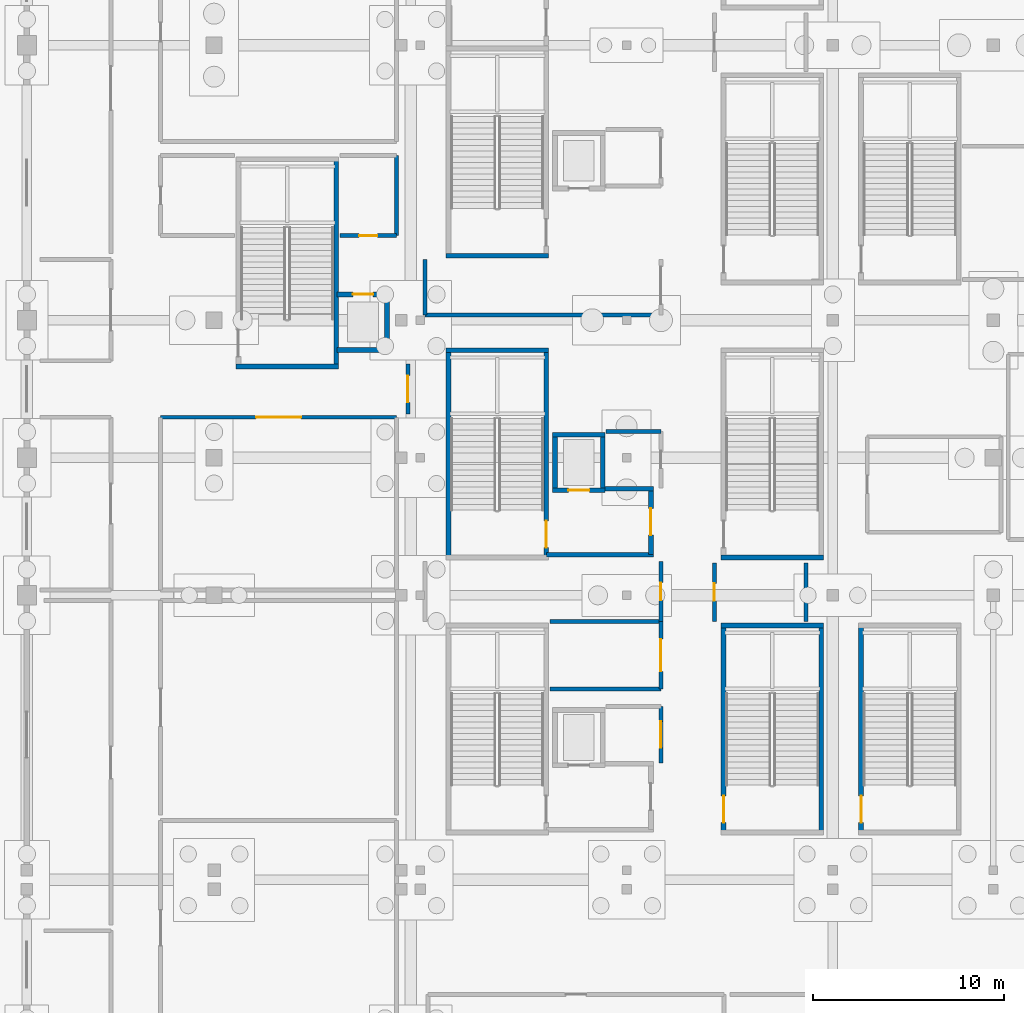
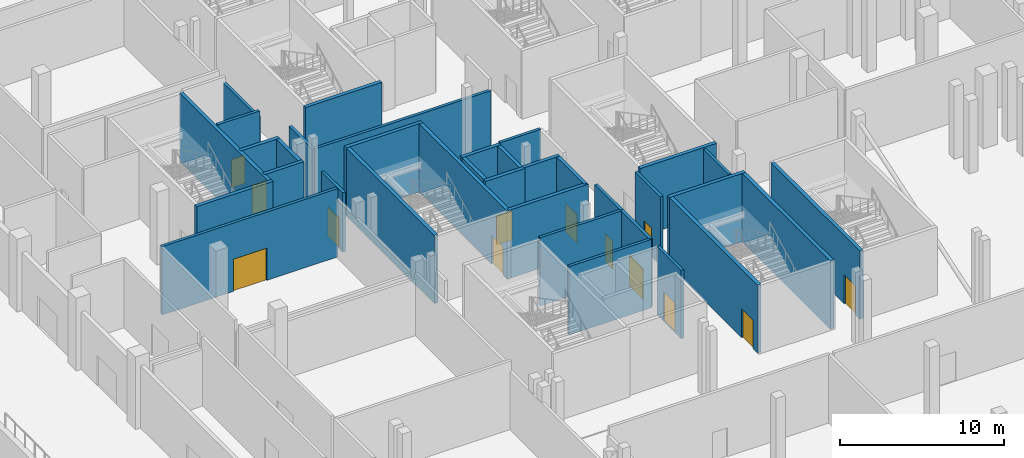
# One storey, part 30 of 89: 35 walls, 13 doors, 13 openings.
"""IFC4 building model written with IfcOpenShell, lengths in metres."""

from ifc_helpers import new_model, si_unit, direction, frame, frame_2d, origin, place, context, subcontext, project, spatial, rectangle, extrude, material, layer, layer_set, type_object, element, fill, save


model = new_model("IFC4")

# Units and contexts
model_context = context("Model", 3, precision=1e-05, world=origin(), true_north=direction((0.0, 1.0)))
body_context = subcontext(model_context, "Body", "Model", "MODEL_VIEW")
ifc_project = project(units=[si_unit("LENGTHUNIT", "METRE"), si_unit("AREAUNIT", "SQUARE_METRE"), si_unit("VOLUMEUNIT", "CUBIC_METRE"), si_unit("PLANEANGLEUNIT", "RADIAN"), si_unit("MASSUNIT", "GRAM", prefix="KILO")], contexts=[model_context])

# Site, building, storey
site_placement = place(None, origin())
site = spatial("IfcSite", under=ifc_project, at=site_placement, CompositionType="ELEMENT")
building_placement = place(site_placement, origin())
building = spatial("IfcBuilding", under=site, at=building_placement, Name="Koshinbarg Plaza Stadium", CompositionType="ELEMENT")
storey_placement = place(building_placement, origin())
storey = spatial("IfcBuildingStorey", under=building, at=storey_placement, Name="L00", CompositionType="ELEMENT", Elevation=0.0)

# Walls
ifc_material_1 = material(Name="Concrete C40/50", Category="concrete")
ifc_layer_1 = layer(ifc_material_1, 0.25)
ifc_layer_set_1 = layer_set([ifc_layer_1], Name="Concrete C40/50")
wall_type_1 = type_object("IfcWallType", Name="WL-CORE-250", PredefinedType="SHEAR", material=ifc_layer_set_1)
wall_1_placement = place(storey_placement, frame((31.320068359375, 52.72509765625, 0.0), z_axis=(0.0, 0.0, 1.0), x_axis=(-1.0, 0.0, 0.0)))
element("IfcWall", 1, at=wall_1_placement, inside=storey, type_object=wall_type_1, Name="L00 core stair shear wall C02-far IWL-L00-0030", PredefinedType="SHEAR", context=body_context, shape_type="SweptSolid", body=[
    extrude(rectangle(XDim=5.3701171875, YDim=0.25, at=frame_2d((2.68505859375, 0.0))), origin(), (0.0, 0.0, 1.0), 5.080078125),
])
wall_2_placement = place(storey_placement, frame((26.074951171875, 41.875, 0.0), z_axis=(0.0, 0.0, 1.0), x_axis=(0.0, 1.0, 0.0)))
element("IfcWall", 2, at=wall_2_placement, inside=storey, type_object=wall_type_1, Name="L00 core stair shear wall C02-left IWL-L00-0031", PredefinedType="SHEAR", context=body_context, shape_type="SweptSolid", body=[
    extrude(rectangle(XDim=10.85009765625, YDim=0.25, at=frame_2d((5.425048828125, 0.0))), origin(), (0.0, 0.0, 1.0), 5.080078125),
])

# Wall, opening, door
wall_3_placement = place(storey_placement, frame((31.195068359375, 41.875, 0.0), z_axis=(0.0, 0.0, 1.0), x_axis=(0.0, 1.0, 0.0)))
wall_3 = element("IfcWall", 3, at=wall_3_placement, inside=storey, type_object=wall_type_1, Name="L00 core stair shear wall C02-right IWL-L00-0032", PredefinedType="SHEAR", context=body_context, shape_type="SweptSolid", body=[
    extrude(rectangle(XDim=10.85009765625, YDim=0.25, at=frame_2d((5.425048828125, 0.0))), origin(), (0.0, 0.0, 1.0), 5.080078125),
])
opening_1_placement = place(wall_3_placement, frame((0.52001953125, 0.0, 0.0)))
opening_1 = element("IfcOpeningElement", 4, at=opening_1_placement, cuts=wall_3, Name="Opening D-0068", PredefinedType="OPENING", context=body_context, shape_type="SweptSolid", body=[
    extrude(rectangle(XDim=1.39990234375, YDim=2.14990234375, at=frame_2d((0.699951171875, 1.074951171875))), frame((0.0, 0.135009765625, 0.0), z_axis=(0.0, -1.0, 0.0), x_axis=(1.0, 0.0, 0.0)), (0.0, 0.0, 1.0), 0.27001953125),
])
ifc_material_2 = material(Name="Painted galvanized steel fire door", Category="steel")
door_type_1 = type_object("IfcDoorType", Name="DR-STAIR-1400", OperationType="NOTDEFINED", PredefinedType="DOOR", material=ifc_material_2)
door_1_placement = place(opening_1_placement, frame((1.39990234375, 0.0, 0.0), z_axis=(0.0, 0.0, 1.0), x_axis=(-1.0, 0.0, 0.0)))
door_1 = element("IfcDoor", 5, at=door_1_placement, inside=storey, type_object=door_type_1, Name="L00 exit stair door C02", OperationType="SINGLE_SWING_LEFT", OverallHeight=2.14990234375, OverallWidth=1.39990234375, PredefinedType="DOOR", context=body_context, shape_type="SweptSolid", body=[
    extrude(rectangle(XDim=1.39990234375, YDim=2.14990234375, at=frame_2d((0.699951171875, 1.074951171875))), frame((0.0, 0.02490234375, 0.0), z_axis=(0.0, -1.0, 0.0), x_axis=(1.0, 0.0, 0.0)), (0.0, 0.0, 1.0), 0.050048828125),
])
fill(opening_1, door_1)

# Walls
for number, where, z_axis, x_axis, name in (
    (6, (25.949951171875, 57.675048828125, 0.0), (0.0, 0.0, 1.0), (1.0, 0.0, 0.0), "L00 core stair shear wall C03-near IWL-L00-0057"),
    (7, (14.949951171875, 51.875, 0.0), (0.0, 0.0, 1.0), (1.0, 0.0, 0.0), "L00 core stair shear wall C16-near IWL-L00-0342"),
):
    element("IfcWall", number, at=place(storey_placement, frame(where, z_axis=z_axis, x_axis=x_axis)), inside=storey, type_object=wall_type_1, Name=name, PredefinedType="SHEAR", context=body_context, shape_type="SweptSolid", body=[
        extrude(rectangle(XDim=5.3701171875, YDim=0.25, at=frame_2d((2.68505859375, 0.0))), origin(), (0.0, 0.0, 1.0), 5.080078125),
    ])
wall_4_placement = place(storey_placement, frame((20.195068359375, 51.875, 0.0), z_axis=(0.0, 0.0, 1.0), x_axis=(0.0, 1.0, 0.0)))
element("IfcWall", 8, at=wall_4_placement, inside=storey, type_object=wall_type_1, Name="L00 core stair shear wall C16-right IWL-L00-0345", PredefinedType="SHEAR", context=body_context, shape_type="SweptSolid", body=[
    extrude(rectangle(XDim=10.85009765625, YDim=0.25, at=frame_2d((5.425048828125, 0.0))), origin(), (0.0, 0.0, 1.0), 5.080078125),
])
wall_5_placement = place(storey_placement, frame((45.719970703125, 38.324951171875, 0.0), z_axis=(0.0, 0.0, 1.0), x_axis=(-1.0, 0.0, 0.0)))
element("IfcWall", 9, at=wall_5_placement, inside=storey, type_object=wall_type_1, Name="L00 vomitory stair shear wall VX01-far IWL-L00-0355", PredefinedType="SHEAR", context=body_context, shape_type="SweptSolid", body=[
    extrude(rectangle(XDim=5.369873046875, YDim=0.25, at=frame_2d((2.68505859375, 0.0))), origin(), (0.0, 0.0, 1.0), 5.080078125),
])

# Wall, opening, door
wall_6_placement = place(storey_placement, frame((40.47509765625, 27.47509765625, 0.0), z_axis=(0.0, 0.0, 1.0), x_axis=(0.0, 1.0, 0.0)))
wall_6 = element("IfcWall", 10, at=wall_6_placement, inside=storey, type_object=wall_type_1, Name="L00 vomitory stair shear wall VX01-left IWL-L00-0356", PredefinedType="SHEAR", context=body_context, shape_type="SweptSolid", body=[
    extrude(rectangle(XDim=10.849853515625, YDim=0.25, at=frame_2d((5.4248046875, 0.0))), origin(), (0.0, 0.0, 1.0), 5.080078125),
])
opening_2_placement = place(wall_6_placement, frame((0.52001953125, 0.0, 0.0)))
opening_2 = element("IfcOpeningElement", 11, at=opening_2_placement, cuts=wall_6, Name="Opening D-0151", PredefinedType="OPENING", context=body_context, shape_type="SweptSolid", body=[
    extrude(rectangle(XDim=1.39990234375, YDim=2.14990234375, at=frame_2d((0.699951171875, 1.074951171875))), frame((0.0, 0.135009765625, 0.0), z_axis=(0.0, -1.0, 0.0), x_axis=(1.0, 0.0, 0.0)), (0.0, 0.0, 1.0), 0.27001953125),
])
door_2_placement = place(opening_2_placement, origin())
door_2 = element("IfcDoor", 12, at=door_2_placement, inside=storey, type_object=door_type_1, Name="L00 vomitory exit stair door VX01", OperationType="SINGLE_SWING_RIGHT", OverallHeight=2.14990234375, OverallWidth=1.39990234375, PredefinedType="DOOR", context=body_context, shape_type="SweptSolid", body=[
    extrude(rectangle(XDim=1.39990234375, YDim=2.14990234375, at=frame_2d((0.699951171875, 1.074951171875))), frame((0.0, 0.02490234375, 0.0), z_axis=(0.0, -1.0, 0.0), x_axis=(1.0, 0.0, 0.0)), (0.0, 0.0, 1.0), 0.050048828125),
])
fill(opening_2, door_2)

# Walls
wall_7_placement = place(storey_placement, frame((45.594970703125, 27.47509765625, 0.0), z_axis=(0.0, 0.0, 1.0), x_axis=(0.0, 1.0, 0.0)))
element("IfcWall", 13, at=wall_7_placement, inside=storey, type_object=wall_type_1, Name="L00 vomitory stair shear wall VX01-right IWL-L00-0357", PredefinedType="SHEAR", context=body_context, shape_type="SweptSolid", body=[
    extrude(rectangle(XDim=10.849853515625, YDim=0.25, at=frame_2d((5.4248046875, 0.0))), origin(), (0.0, 0.0, 1.0), 5.080078125),
])
wall_8_placement = place(storey_placement, frame((40.35009765625, 41.875, 0.0), z_axis=(0.0, 0.0, 1.0), x_axis=(1.0, 0.0, 0.0)))
element("IfcWall", 14, at=wall_8_placement, inside=storey, type_object=wall_type_1, Name="L00 vomitory stair shear wall VX02-near IWL-L00-0370", PredefinedType="SHEAR", context=body_context, shape_type="SweptSolid", body=[
    extrude(rectangle(XDim=5.369873046875, YDim=0.25, at=frame_2d((2.68505859375, 0.0))), origin(), (0.0, 0.0, 1.0), 5.080078125),
])

# Wall, opening, door
wall_9_placement = place(storey_placement, frame((47.675048828125, 27.47509765625, 0.0), z_axis=(0.0, 0.0, 1.0), x_axis=(0.0, 1.0, 0.0)))
wall_9 = element("IfcWall", 15, at=wall_9_placement, inside=storey, type_object=wall_type_1, Name="L00 vomitory stair shear wall VL01-left IWL-L00-0548", PredefinedType="SHEAR", context=body_context, shape_type="SweptSolid", body=[
    extrude(rectangle(XDim=10.849853515625, YDim=0.25, at=frame_2d((5.4248046875, 0.0))), origin(), (0.0, 0.0, 1.0), 5.080078125),
])
opening_3_placement = place(wall_9_placement, frame((0.52001953125, 0.0, 0.0)))
opening_3 = element("IfcOpeningElement", 16, at=opening_3_placement, cuts=wall_9, Name="Opening D-0199", PredefinedType="OPENING", context=body_context, shape_type="SweptSolid", body=[
    extrude(rectangle(XDim=1.39990234375, YDim=2.14990234375, at=frame_2d((0.699951171875, 1.074951171875))), frame((0.0, 0.135009765625, 0.0), z_axis=(0.0, -1.0, 0.0), x_axis=(1.0, 0.0, 0.0)), (0.0, 0.0, 1.0), 0.27001953125),
])
door_3_placement = place(opening_3_placement, origin())
door_3 = element("IfcDoor", 17, at=door_3_placement, inside=storey, type_object=door_type_1, Name="L00 vomitory exit stair door VL01", OperationType="SINGLE_SWING_RIGHT", OverallHeight=2.14990234375, OverallWidth=1.39990234375, PredefinedType="DOOR", context=body_context, shape_type="SweptSolid", body=[
    extrude(rectangle(XDim=1.39990234375, YDim=2.14990234375, at=frame_2d((0.699951171875, 1.074951171875))), frame((0.0, 0.02490234375, 0.0), z_axis=(0.0, -1.0, 0.0), x_axis=(1.0, 0.0, 0.0)), (0.0, 0.0, 1.0), 0.050048828125),
])
fill(opening_3, door_3)

wall_10_placement = place(storey_placement, frame((31.52490234375, 45.39990234375, 0.0), z_axis=(0.0, 0.0, 1.0), x_axis=(1.0, 0.0, 0.0)))
wall_10 = element("IfcWall", 18, at=wall_10_placement, inside=storey, type_object=wall_type_1, Name="L00 lift shaft shear wall FL02-S IWL-L00-0659", PredefinedType="SHEAR", context=body_context, shape_type="SweptSolid", body=[
    extrude(rectangle(XDim=2.75, YDim=0.25, at=frame_2d((1.375, 0.0))), origin(), (0.0, 0.0, 1.0), 5.080078125),
])
opening_4_placement = place(wall_10_placement, frame((0.824951171875, 0.0, 0.0)))
opening_4 = element("IfcOpeningElement", 19, at=opening_4_placement, cuts=wall_10, Name="Opening D-0229", PredefinedType="OPENING", context=body_context, shape_type="SweptSolid", body=[
    extrude(rectangle(XDim=1.10009765625, YDim=2.14990234375, at=frame_2d((0.550048828125, 1.074951171875))), frame((0.0, 0.135009765625, 0.0), z_axis=(0.0, -1.0, 0.0), x_axis=(1.0, 0.0, 0.0)), (0.0, 0.0, 1.0), 0.27001953125),
])
ifc_material_3 = material(Name="Brushed stainless steel sliding lift landing door", Category="steel")
door_type_2 = type_object("IfcDoorType", Name="DR-LIFT-1100", OperationType="NOTDEFINED", PredefinedType="DOOR", material=ifc_material_3)
door_4_placement = place(opening_4_placement, origin())
door_4 = element("IfcDoor", 20, at=door_4_placement, inside=storey, type_object=door_type_2, Name="L00 lift landing door FL02", OperationType="SLIDING_TO_LEFT", OverallHeight=2.14990234375, OverallWidth=1.10009765625, PredefinedType="DOOR", context=body_context, shape_type="SweptSolid", body=[
    extrude(rectangle(XDim=1.10009765625, YDim=2.14990234375, at=frame_2d((0.550048828125, 1.074951171875))), frame((0.0, 0.02490234375, 0.0), z_axis=(0.0, -1.0, 0.0), x_axis=(1.0, 0.0, 0.0)), (0.0, 0.0, 1.0), 0.050048828125),
])
fill(opening_4, door_4)

# Walls
wall_11_placement = place(storey_placement, frame((34.27490234375, 48.300048828125, 0.0), z_axis=(0.0, 0.0, 1.0), x_axis=(-1.0, 0.0, 0.0)))
element("IfcWall", 21, at=wall_11_placement, inside=storey, type_object=wall_type_1, Name="L00 lift shaft shear wall FL02-N IWL-L00-0660", PredefinedType="SHEAR", context=body_context, shape_type="SweptSolid", body=[
    extrude(rectangle(XDim=2.75, YDim=0.25, at=frame_2d((1.375, 0.0))), origin(), (0.0, 0.0, 1.0), 5.080078125),
])
for number, where, z_axis, x_axis, name in (
    (22, (31.64990234375, 48.300048828125, 0.0), (0.0, 0.0, 1.0), (0.0, -1.0, 0.0), "L00 lift shaft shear wall FL02-W IWL-L00-0661"),
    (23, (34.14990234375, 45.39990234375, 0.0), (0.0, 0.0, 1.0), (0.0, 1.0, 0.0), "L00 lift shaft shear wall FL02-E IWL-L00-0662"),
):
    element("IfcWall", number, at=place(storey_placement, frame(where, z_axis=z_axis, x_axis=x_axis)), inside=storey, type_object=wall_type_1, Name=name, PredefinedType="SHEAR", context=body_context, shape_type="SweptSolid", body=[
        extrude(rectangle(XDim=2.900146484375, YDim=0.25, at=frame_2d((1.4501953125, 0.0))), origin(), (0.0, 0.0, 1.0), 5.080078125),
    ])

# Wall, opening, door
wall_12_placement = place(storey_placement, frame((36.675048828125, 42.02490234375, 0.0), z_axis=(0.0, 0.0, 1.0), x_axis=(0.0, 1.0, 0.0)))
wall_12 = element("IfcWall", 24, at=wall_12_placement, inside=storey, type_object=wall_type_1, Name="L00 firefighting lobby wall C02-E IWL-L00-0663", PredefinedType="SHEAR", context=body_context, shape_type="SweptSolid", body=[
    extrude(rectangle(XDim=3.4501953125, YDim=0.25, at=frame_2d((1.72509765625, 0.0))), origin(), (0.0, 0.0, 1.0), 5.080078125),
])
opening_5_placement = place(wall_12_placement, frame((1.02490234375, 0.0, 0.0)))
opening_5 = element("IfcOpeningElement", 25, at=opening_5_placement, cuts=wall_12, Name="Opening D-0230", PredefinedType="OPENING", context=body_context, shape_type="SweptSolid", body=[
    extrude(rectangle(XDim=1.39990234375, YDim=2.14990234375, at=frame_2d((0.699951171875, 1.074951171875))), frame((0.0, 0.135009765625, 0.0), z_axis=(0.0, -1.0, 0.0), x_axis=(1.0, 0.0, 0.0)), (0.0, 0.0, 1.0), 0.27001953125),
])
ifc_material_4 = material(Name="Smoke-sealed steel firefighting lobby door", Category="steel")
door_type_3 = type_object("IfcDoorType", Name="DR-FFLOB-1400", OperationType="NOTDEFINED", PredefinedType="DOOR", material=ifc_material_4)
door_5_placement = place(opening_5_placement, origin())
door_5 = element("IfcDoor", 26, at=door_5_placement, inside=storey, type_object=door_type_3, Name="L00 firefighting lobby fire door C02", OperationType="DOUBLE_DOOR_SINGLE_SWING", OverallHeight=2.14990234375, OverallWidth=1.39990234375, PredefinedType="DOOR", context=body_context, shape_type="SweptSolid", body=[
    extrude(rectangle(XDim=1.39990234375, YDim=2.14990234375, at=frame_2d((0.699951171875, 1.074951171875))), frame((0.0, 0.02490234375, 0.0), z_axis=(0.0, -1.0, 0.0), x_axis=(1.0, 0.0, 0.0)), (0.0, 0.0, 1.0), 0.050048828125),
])
fill(opening_5, door_5)

# Walls
wall_13_placement = place(storey_placement, frame((34.27490234375, 45.47509765625, 0.0), z_axis=(0.0, 0.0, 1.0), x_axis=(1.0, 0.0, 0.0)))
element("IfcWall", 27, at=wall_13_placement, inside=storey, type_object=wall_type_1, Name="L00 firefighting lobby wall C02-NE IWL-L00-0664", PredefinedType="SHEAR", context=body_context, shape_type="SweptSolid", body=[
    extrude(rectangle(XDim=2.525146484375, YDim=0.25, at=frame_2d((1.2626953125, 0.0))), origin(), (0.0, 0.0, 1.0), 5.080078125),
])
wall_14_placement = place(storey_placement, frame((31.199951171875, 42.02490234375, 0.0), z_axis=(0.0, 0.0, 1.0), x_axis=(1.0, 0.0, 0.0)))
element("IfcWall", 28, at=wall_14_placement, inside=storey, type_object=wall_type_1, Name="L00 firefighting lobby wall C02-S IWL-L00-0665", PredefinedType="SHEAR", context=body_context, shape_type="SweptSolid", body=[
    extrude(rectangle(XDim=5.60009765625, YDim=0.25, at=frame_2d((2.800048828125, 0.0))), origin(), (0.0, 0.0, 1.0), 5.080078125),
])
wall_15_placement = place(storey_placement, frame((20.22509765625, 52.75, 0.0), z_axis=(0.0, 0.0, 1.0), x_axis=(1.0, 0.0, 0.0)))
element("IfcWall", 29, at=wall_15_placement, inside=storey, type_object=wall_type_1, Name="L00 lift shaft shear wall LP12-S IWL-L00-1039", PredefinedType="SHEAR", context=body_context, shape_type="SweptSolid", body=[
    extrude(rectangle(XDim=2.75, YDim=0.25, at=frame_2d((1.375, 0.0))), origin(), (0.0, 0.0, 1.0), 5.080078125),
])

# Wall, opening, door
wall_16_placement = place(storey_placement, frame((22.97509765625, 55.64990234375, 0.0), z_axis=(0.0, 0.0, 1.0), x_axis=(-1.0, 0.0, 0.0)))
wall_16 = element("IfcWall", 30, at=wall_16_placement, inside=storey, type_object=wall_type_1, Name="L00 lift shaft shear wall LP12-N IWL-L00-1040", PredefinedType="SHEAR", context=body_context, shape_type="SweptSolid", body=[
    extrude(rectangle(XDim=2.75, YDim=0.25, at=frame_2d((1.375, 0.0))), origin(), (0.0, 0.0, 1.0), 5.080078125),
])
opening_6_placement = place(wall_16_placement, frame((0.85009765625, 0.0, 0.0)))
opening_6 = element("IfcOpeningElement", 31, at=opening_6_placement, cuts=wall_16, Name="Opening D-0330", PredefinedType="OPENING", context=body_context, shape_type="SweptSolid", body=[
    extrude(rectangle(XDim=1.050048828125, YDim=2.14990234375, at=frame_2d((0.52490234375, 1.074951171875))), frame((0.0, 0.135009765625, 0.0), z_axis=(0.0, -1.0, 0.0), x_axis=(1.0, 0.0, 0.0)), (0.0, 0.0, 1.0), 0.27001953125),
])
door_type_4 = type_object("IfcDoorType", Name="DR-LIFT-1050", OperationType="NOTDEFINED", PredefinedType="DOOR", material=ifc_material_3)
door_6_placement = place(opening_6_placement, origin())
door_6 = element("IfcDoor", 32, at=door_6_placement, inside=storey, type_object=door_type_4, Name="L00 lift landing door LP12", OperationType="SLIDING_TO_LEFT", OverallHeight=2.14990234375, OverallWidth=1.050048828125, PredefinedType="DOOR", context=body_context, shape_type="SweptSolid", body=[
    extrude(rectangle(XDim=1.050048828125, YDim=2.14990234375, at=frame_2d((0.52490234375, 1.074951171875))), frame((0.0, 0.02490234375, 0.0), z_axis=(0.0, -1.0, 0.0), x_axis=(1.0, 0.0, 0.0)), (0.0, 0.0, 1.0), 0.050048828125),
])
fill(opening_6, door_6)

# Wall
wall_17_placement = place(storey_placement, frame((22.85009765625, 52.75, 0.0), z_axis=(0.0, 0.0, 1.0), x_axis=(0.0, 1.0, 0.0)))
element("IfcWall", 33, at=wall_17_placement, inside=storey, type_object=wall_type_1, Name="L00 lift shaft shear wall LP12-E IWL-L00-1041", PredefinedType="SHEAR", context=body_context, shape_type="SweptSolid", body=[
    extrude(rectangle(XDim=2.89990234375, YDim=0.25, at=frame_2d((1.449951171875, 0.0))), origin(), (0.0, 0.0, 1.0), 5.080078125),
])

# Wall, opening, door
ifc_material_5 = material(Name="Autoclaved aerated blockwork fire partition", Category="masonry")
ifc_layer_2 = layer(ifc_material_5, 0.199951171875)
ifc_layer_set_2 = layer_set([ifc_layer_2], Name="Autoclaved aerated blockwork fire partition")
wall_type_2 = type_object("IfcWallType", Name="WL-PART-200", PredefinedType="PARTITIONING", material=ifc_layer_set_2)
wall_18_placement = place(storey_placement, frame((23.949951171875, 49.39990234375, 0.0), z_axis=(0.0, 0.0, 1.0), x_axis=(0.0, 1.0, 0.0)))
wall_18 = element("IfcWall", 34, at=wall_18_placement, inside=storey, type_object=wall_type_2, Name="L00 protected exit passageway fire wall V1-V6 IWL-L00-1048", PredefinedType="PARTITIONING", context=body_context, shape_type="SweptSolid", body=[
    extrude(rectangle(XDim=2.60009765625, YDim=0.199951171875, at=frame_2d((1.300048828125, 0.0))), origin(), (0.0, 0.0, 1.0), 4.409912109375),
])
opening_7_placement = place(wall_18_placement, frame((0.60009765625, 0.0, 0.0)))
opening_7 = element("IfcOpeningElement", 35, at=opening_7_placement, cuts=wall_18, Name="Opening D-0333", PredefinedType="OPENING", context=body_context, shape_type="SweptSolid", body=[
    extrude(rectangle(XDim=1.39990234375, YDim=2.14990234375, at=frame_2d((0.699951171875, 1.074951171875))), frame((0.0, 0.10986328125, 0.0), z_axis=(0.0, -1.0, 0.0), x_axis=(1.0, 0.0, 0.0)), (0.0, 0.0, 1.0), 0.219970703125),
])
door_7_placement = place(opening_7_placement, origin())
door_7 = element("IfcDoor", 36, at=door_7_placement, inside=storey, type_object=door_type_3, Name="L00 protected exit passageway fire door V1-V6", OperationType="DOUBLE_DOOR_SINGLE_SWING", OverallHeight=2.14990234375, OverallWidth=1.39990234375, PredefinedType="DOOR", context=body_context, shape_type="SweptSolid", body=[
    extrude(rectangle(XDim=1.39990234375, YDim=2.14990234375, at=frame_2d((0.699951171875, 1.074951171875))), frame((0.0, 0.02490234375, 0.0), z_axis=(0.0, -1.0, 0.0), x_axis=(1.0, 0.0, 0.0)), (0.0, 0.0, 1.0), 0.050048828125),
])
fill(opening_7, door_7)

# Wall
wall_19_placement = place(storey_placement, frame((44.800048828125, 38.530029296875, 0.0), z_axis=(0.0, 0.0, 1.0), x_axis=(0.0, 1.0, 0.0)))
element("IfcWall", 37, at=wall_19_placement, inside=storey, type_object=wall_type_2, Name="L00 interior partition L00-69-east IWL-L00-1062", PredefinedType="PARTITIONING", context=body_context, shape_type="SweptSolid", body=[
    extrude(rectangle(XDim=3.070068359375, YDim=0.199951171875, at=frame_2d((1.53515625, 0.0))), origin(), (0.0, 0.0, 1.0), 5.080078125),
])

# Wall, opening, door
wall_20_placement = place(storey_placement, frame((40.0, 41.60009765625, 0.0), z_axis=(0.0, 0.0, 1.0), x_axis=(0.0, -1.0, 0.0)))
wall_20 = element("IfcWall", 38, at=wall_20_placement, inside=storey, type_object=wall_type_2, Name="L00 interior partition L00-69-west IWL-L00-1063", PredefinedType="PARTITIONING", context=body_context, shape_type="SweptSolid", body=[
    extrude(rectangle(XDim=3.070068359375, YDim=0.199951171875, at=frame_2d((1.53515625, 0.0))), origin(), (0.0, 0.0, 1.0), 5.080078125),
])
opening_8_placement = place(wall_20_placement, frame((1.074951171875, 0.0, 0.0)))
opening_8 = element("IfcOpeningElement", 39, at=opening_8_placement, cuts=wall_20, Name="Opening D-0338", PredefinedType="OPENING", context=body_context, shape_type="SweptSolid", body=[
    extrude(rectangle(XDim=0.919921875, YDim=2.10009765625, at=frame_2d((0.4599609375, 1.050048828125))), frame((0.0, 0.10986328125, 0.0), z_axis=(0.0, -1.0, 0.0), x_axis=(1.0, 0.0, 0.0)), (0.0, 0.0, 1.0), 0.219970703125),
])
ifc_material_6 = material(Name="Solid-core oak veneer acoustic door")
door_type_5 = type_object("IfcDoorType", Name="DR-INT-0920x2100", OperationType="NOTDEFINED", PredefinedType="DOOR", material=ifc_material_6)
door_8_placement = place(opening_8_placement, origin())
door_8 = element("IfcDoor", 40, at=door_8_placement, inside=storey, type_object=door_type_5, Name="L00 Public Restroom 1 door D-0338", OperationType="SINGLE_SWING_RIGHT", OverallHeight=2.10009765625, OverallWidth=0.919921875, PredefinedType="DOOR", context=body_context, shape_type="SweptSolid", body=[
    extrude(rectangle(XDim=0.919921875, YDim=2.10009765625, at=frame_2d((0.4599609375, 1.050048828125))), frame((0.0, 0.02490234375, 0.0), z_axis=(0.0, -1.0, 0.0), x_axis=(1.0, 0.0, 0.0)), (0.0, 0.0, 1.0), 0.050048828125),
])
fill(opening_8, door_8)

wall_21_placement = place(storey_placement, frame((37.199951171875, 31.1298828125, 0.0), z_axis=(0.0, 0.0, 1.0), x_axis=(0.0, 1.0, 0.0)))
wall_21 = element("IfcWall", 41, at=wall_21_placement, inside=storey, type_object=wall_type_2, Name="L00 interior partition L00-72-east IWL-L00-1068", PredefinedType="PARTITIONING", context=body_context, shape_type="SweptSolid", body=[
    extrude(rectangle(XDim=2.9501953125, YDim=0.199951171875, at=frame_2d((1.47509765625, 0.0))), origin(), (0.0, 0.0, 1.0), 5.080078125),
])
opening_9_placement = place(wall_21_placement, frame((0.77490234375, 0.0, 0.0)))
opening_9 = element("IfcOpeningElement", 42, at=opening_9_placement, cuts=wall_21, Name="Opening D-0341", PredefinedType="OPENING", context=body_context, shape_type="SweptSolid", body=[
    extrude(rectangle(XDim=1.39990234375, YDim=2.199951171875, at=frame_2d((0.699951171875, 1.10009765625))), frame((0.0, 0.10986328125, 0.0), z_axis=(0.0, -1.0, 0.0), x_axis=(1.0, 0.0, 0.0)), (0.0, 0.0, 1.0), 0.219970703125),
])
ifc_material_7 = material(Name="Stainless-clad solid-core timber double fire door", Category="wood")
door_type_6 = type_object("IfcDoorType", Name="DR-INT-1400x2200", OperationType="NOTDEFINED", PredefinedType="DOOR", material=ifc_material_7)
door_9_placement = place(opening_9_placement, origin())
door_9 = element("IfcDoor", 43, at=door_9_placement, inside=storey, type_object=door_type_6, Name="L00 Main Entrance Concourse door D-0341", OperationType="DOUBLE_DOOR_SINGLE_SWING", OverallHeight=2.199951171875, OverallWidth=1.39990234375, PredefinedType="DOOR", context=body_context, shape_type="SweptSolid", body=[
    extrude(rectangle(XDim=1.39990234375, YDim=2.199951171875, at=frame_2d((0.699951171875, 1.10009765625))), frame((0.0, 0.02490234375, 0.0), z_axis=(0.0, -1.0, 0.0), x_axis=(1.0, 0.0, 0.0)), (0.0, 0.0, 1.0), 0.050048828125),
])
fill(opening_9, door_9)

wall_22_placement = place(storey_placement, frame((37.199951171875, 38.530029296875, 0.0), z_axis=(0.0, 0.0, 1.0), x_axis=(0.0, 1.0, 0.0)))
wall_22 = element("IfcWall", 44, at=wall_22_placement, inside=storey, type_object=wall_type_2, Name="L00 interior partition L00-73-east IWL-L00-1070", PredefinedType="PARTITIONING", context=body_context, shape_type="SweptSolid", body=[
    extrude(rectangle(XDim=3.139892578125, YDim=0.199951171875, at=frame_2d((1.56982421875, 0.0))), origin(), (0.0, 0.0, 1.0), 5.080078125),
])
opening_10_placement = place(wall_22_placement, frame((1.110107421875, 0.0, 0.0)))
opening_10 = element("IfcOpeningElement", 45, at=opening_10_placement, cuts=wall_22, Name="Opening D-0342", PredefinedType="OPENING", context=body_context, shape_type="SweptSolid", body=[
    extrude(rectangle(XDim=0.919921875, YDim=2.10009765625, at=frame_2d((0.4599609375, 1.050048828125))), frame((0.0, 0.10986328125, 0.0), z_axis=(0.0, -1.0, 0.0), x_axis=(1.0, 0.0, 0.0)), (0.0, 0.0, 1.0), 0.219970703125),
])
door_10_placement = place(opening_10_placement, origin())
door_10 = element("IfcDoor", 46, at=door_10_placement, inside=storey, type_object=door_type_5, Name="L00 VIP Reception Foyer door D-0342", OperationType="SINGLE_SWING_RIGHT", OverallHeight=2.10009765625, OverallWidth=0.919921875, PredefinedType="DOOR", context=body_context, shape_type="SweptSolid", body=[
    extrude(rectangle(XDim=0.919921875, YDim=2.10009765625, at=frame_2d((0.4599609375, 1.050048828125))), frame((0.0, 0.02490234375, 0.0), z_axis=(0.0, -1.0, 0.0), x_axis=(1.0, 0.0, 0.0)), (0.0, 0.0, 1.0), 0.050048828125),
])
fill(opening_10, door_10)

# Wall
wall_23_placement = place(storey_placement, frame((31.39990234375, 34.994140625, 0.0), z_axis=(0.0, 0.0, 1.0), x_axis=(1.0, 0.0, 0.0)))
element("IfcWall", 47, at=wall_23_placement, inside=storey, type_object=wall_type_2, Name="L00 interior partition L00-74-south IWL-L00-1072", PredefinedType="PARTITIONING", context=body_context, shape_type="SweptSolid", body=[
    extrude(rectangle(XDim=5.800048828125, YDim=0.199951171875, at=frame_2d((2.89990234375, 0.0))), origin(), (0.0, 0.0, 1.0), 5.080078125),
])

# Wall, opening, door
wall_24_placement = place(storey_placement, frame((37.199951171875, 34.994140625, 0.0), z_axis=(0.0, 0.0, 1.0), x_axis=(0.0, 1.0, 0.0)))
wall_24 = element("IfcWall", 48, at=wall_24_placement, inside=storey, type_object=wall_type_2, Name="L00 interior partition L00-74-east IWL-L00-1073", PredefinedType="PARTITIONING", context=body_context, shape_type="SweptSolid", body=[
    extrude(rectangle(XDim=3.535888671875, YDim=0.199951171875, at=frame_2d((1.76806640625, 0.0))), origin(), (0.0, 0.0, 1.0), 5.080078125),
])
opening_11_placement = place(wall_24_placement, frame((0.927978515625, 0.0, 0.0)))
opening_11 = element("IfcOpeningElement", 49, at=opening_11_placement, cuts=wall_24, Name="Opening D-0343", PredefinedType="OPENING", context=body_context, shape_type="SweptSolid", body=[
    extrude(rectangle(XDim=1.679931640625, YDim=2.25, at=frame_2d((0.83984375, 1.125))), frame((0.0, 0.10986328125, 0.0), z_axis=(0.0, -1.0, 0.0), x_axis=(1.0, 0.0, 0.0)), (0.0, 0.0, 1.0), 0.219970703125),
])
ifc_material_8 = material(Name="Powder-coated aluminium double glazed door", Category="aluminium")
door_type_7 = type_object("IfcDoorType", Name="DR-INT-1680x2250", OperationType="NOTDEFINED", PredefinedType="DOOR", material=ifc_material_8)
door_11_placement = place(opening_11_placement, origin())
door_11 = element("IfcDoor", 50, at=door_11_placement, inside=storey, type_object=door_type_7, Name="L00 Match Officials Suite door D-0343", OperationType="DOUBLE_DOOR_SINGLE_SWING", OverallHeight=2.25, OverallWidth=1.679931640625, PredefinedType="DOOR", context=body_context, shape_type="SweptSolid", body=[
    extrude(rectangle(XDim=1.679931640625, YDim=2.25, at=frame_2d((0.83984375, 1.125))), frame((0.0, 0.02490234375, 0.0), z_axis=(0.0, -1.0, 0.0), x_axis=(1.0, 0.0, 0.0)), (0.0, 0.0, 1.0), 0.050048828125),
])
fill(opening_11, door_11)

# Walls
wall_25_placement = place(storey_placement, frame((37.199951171875, 38.530029296875, 0.0), z_axis=(0.0, 0.0, 1.0), x_axis=(-1.0, 0.0, 0.0)))
element("IfcWall", 51, at=wall_25_placement, inside=storey, type_object=wall_type_2, Name="L00 interior partition L00-74-north IWL-L00-1074", PredefinedType="PARTITIONING", context=body_context, shape_type="SweptSolid", body=[
    extrude(rectangle(XDim=5.800048828125, YDim=0.199951171875, at=frame_2d((2.89990234375, 0.0))), origin(), (0.0, 0.0, 1.0), 5.080078125),
])
wall_26_placement = place(storey_placement, frame((37.199951171875, 48.47998046875, 0.0), z_axis=(0.0, 0.0, 1.0), x_axis=(-1.0, 0.0, 0.0)))
element("IfcWall", 52, at=wall_26_placement, inside=storey, type_object=wall_type_2, Name="L00 interior partition L00-75-north IWL-L00-1076", PredefinedType="PARTITIONING", context=body_context, shape_type="SweptSolid", body=[
    extrude(rectangle(XDim=2.869873046875, YDim=0.199951171875, at=frame_2d((1.43505859375, 0.0))), origin(), (0.0, 0.0, 1.0), 5.080078125),
])
wall_27_placement = place(storey_placement, frame((24.844970703125, 54.570068359375, 0.0), z_axis=(0.0, 0.0, 1.0), x_axis=(1.0, 0.0, 0.0)))
element("IfcWall", 53, at=wall_27_placement, inside=storey, type_object=wall_type_2, Name="L00 interior partition L00-77-south IWL-L00-1081", PredefinedType="PARTITIONING", context=body_context, shape_type="SweptSolid", body=[
    extrude(rectangle(XDim=12.35498046875, YDim=0.199951171875, at=frame_2d((6.177490234375, 0.0))), origin(), (0.0, 0.0, 1.0), 4.260009765625),
])
wall_28_placement = place(storey_placement, frame((24.844970703125, 57.469970703125, 0.0), z_axis=(0.0, 0.0, 1.0), x_axis=(0.0, -1.0, 0.0)))
element("IfcWall", 54, at=wall_28_placement, inside=storey, type_object=wall_type_2, Name="L00 interior partition L00-77-west IWL-L00-1083", PredefinedType="PARTITIONING", context=body_context, shape_type="SweptSolid", body=[
    extrude(rectangle(XDim=2.89990234375, YDim=0.199951171875, at=frame_2d((1.449951171875, 0.0))), origin(), (0.0, 0.0, 1.0), 4.159912109375),
])

# Wall, opening, door
wall_29_placement = place(storey_placement, frame((23.35498046875, 49.219970703125, 0.0), z_axis=(0.0, 0.0, 1.0), x_axis=(-1.0, 0.0, 0.0)))
wall_29 = element("IfcWall", 55, at=wall_29_placement, inside=storey, type_object=wall_type_2, Name="L00 interior partition L00-166-north IWL-L00-1327", PredefinedType="PARTITIONING", context=body_context, shape_type="SweptSolid", body=[
    extrude(rectangle(XDim=12.35498046875, YDim=0.199951171875, at=frame_2d((6.177490234375, 0.0))), origin(), (0.0, 0.0, 1.0), 5.080078125),
])
opening_12_placement = place(wall_29_placement, frame((4.99755859375, 0.0, 0.0)))
opening_12 = element("IfcOpeningElement", 56, at=opening_12_placement, cuts=wall_29, Name="Opening D-0435", PredefinedType="OPENING", context=body_context, shape_type="SweptSolid", body=[
    extrude(rectangle(XDim=2.360107421875, YDim=2.39990234375, at=frame_2d((1.18017578125, 1.199951171875))), frame((0.0, 0.10986328125, 0.0), z_axis=(0.0, -1.0, 0.0), x_axis=(1.0, 0.0, 0.0)), (0.0, 0.0, 1.0), 0.219970703125),
])
ifc_material_9 = material(Name="Powder-coated steel and tempered glass double door", Category="steel")
door_type_8 = type_object("IfcDoorType", Name="DR-INT-2360x2400", OperationType="NOTDEFINED", PredefinedType="DOOR", material=ifc_material_9)
door_12_placement = place(opening_12_placement, origin())
door_12 = element("IfcDoor", 57, at=door_12_placement, inside=storey, type_object=door_type_8, Name="L00 Southwest Ceremonial Concourse door D-0435", OperationType="DOUBLE_DOOR_SINGLE_SWING", OverallHeight=2.39990234375, OverallWidth=2.360107421875, PredefinedType="DOOR", context=body_context, shape_type="SweptSolid", body=[
    extrude(rectangle(XDim=2.360107421875, YDim=2.39990234375, at=frame_2d((1.18017578125, 1.199951171875))), frame((0.0, 0.02490234375, 0.0), z_axis=(0.0, -1.0, 0.0), x_axis=(1.0, 0.0, 0.0)), (0.0, 0.0, 1.0), 0.050048828125),
])
fill(opening_12, door_12)

wall_30_placement = place(storey_placement, frame((20.39990234375, 58.72998046875, 0.0), z_axis=(0.0, 0.0, 1.0), x_axis=(1.0, 0.0, 0.0)))
wall_30 = element("IfcWall", 58, at=wall_30_placement, inside=storey, type_object=wall_type_2, Name="L00 interior partition L00-168-south IWL-L00-1332", PredefinedType="PARTITIONING", context=body_context, shape_type="SweptSolid", body=[
    extrude(rectangle(XDim=2.955078125, YDim=0.199951171875, at=frame_2d((1.4775390625, 0.0))), origin(), (0.0, 0.0, 1.0), 5.080078125),
])
opening_13_placement = place(wall_30_placement, frame((0.99755859375, 0.0, 0.0)))
opening_13 = element("IfcOpeningElement", 59, at=opening_13_placement, cuts=wall_30, Name="Opening D-0437", PredefinedType="OPENING", context=body_context, shape_type="SweptSolid", body=[
    extrude(rectangle(XDim=0.9599609375, YDim=2.10009765625, at=frame_2d((0.47998046875, 1.050048828125))), frame((0.0, 0.10986328125, 0.0), z_axis=(0.0, -1.0, 0.0), x_axis=(1.0, 0.0, 0.0)), (0.0, 0.0, 1.0), 0.219970703125),
])
door_type_9 = type_object("IfcDoorType", Name="DR-INT-0960x2100", OperationType="NOTDEFINED", PredefinedType="DOOR", material=ifc_material_6)
door_13_placement = place(opening_13_placement, origin())
door_13 = element("IfcDoor", 60, at=door_13_placement, inside=storey, type_object=door_type_9, Name="L00 VIP and Media Accreditation Hall door D-0437", OperationType="SINGLE_SWING_LEFT", OverallHeight=2.10009765625, OverallWidth=0.9599609375, PredefinedType="DOOR", context=body_context, shape_type="SweptSolid", body=[
    extrude(rectangle(XDim=0.9599609375, YDim=2.10009765625, at=frame_2d((0.47998046875, 1.050048828125))), frame((0.0, 0.02490234375, 0.0), z_axis=(0.0, -1.0, 0.0), x_axis=(1.0, 0.0, 0.0)), (0.0, 0.0, 1.0), 0.050048828125),
])
fill(opening_13, door_13)

# Wall
wall_31_placement = place(storey_placement, frame((23.35498046875, 58.72998046875, 0.0), z_axis=(0.0, 0.0, 1.0), x_axis=(0.0, 1.0, 0.0)))
element("IfcWall", 61, at=wall_31_placement, inside=storey, type_object=wall_type_2, Name="L00 interior partition L00-168-east IWL-L00-1333", PredefinedType="PARTITIONING", context=body_context, shape_type="SweptSolid", body=[
    extrude(rectangle(XDim=4.199951171875, YDim=0.199951171875, at=frame_2d((2.10009765625, 0.0))), origin(), (0.0, 0.0, 1.0), 4.610107421875),
])

save(model, "model.ifc")
